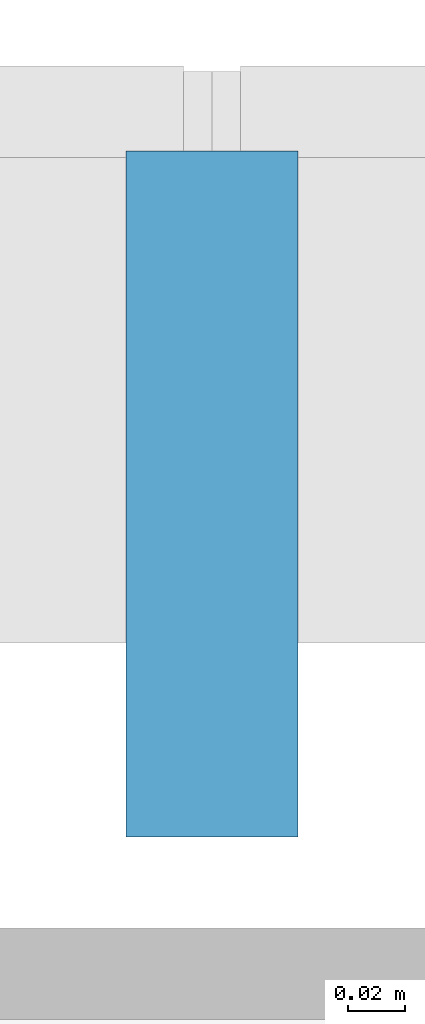
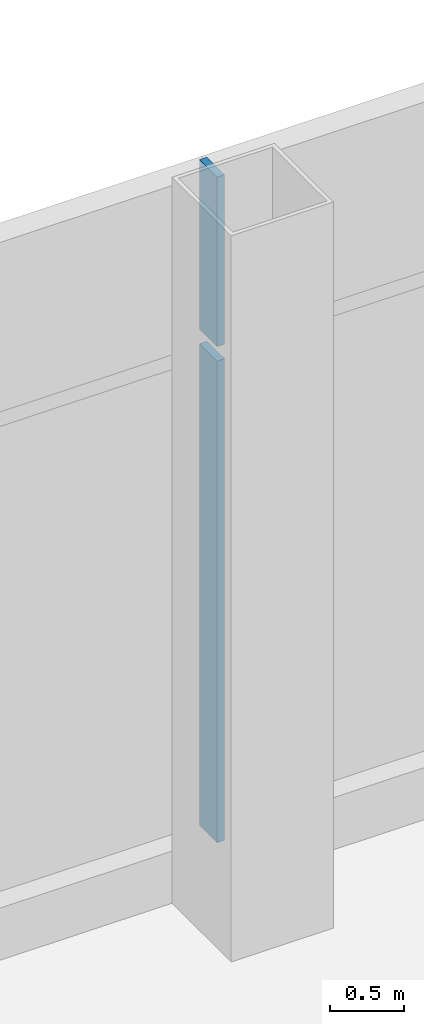
# One storey, part 6 of 44: 2 members, 1 element without a shape of its own.
"""IFC4 building model written with IfcOpenShell, lengths in metres."""

from ifc_helpers import new_model, si_unit, direction, frame, origin, origin_2d, place, context, subcontext, project, spatial, rectangle, extrude, material, layer, layer_set, material_profile, profile_set, type_object, element, aggregate, save


model = new_model("IFC4")

# Units and contexts
model_context = context("Model", 3, precision=1e-05, world=origin(), true_north=direction((0.0, 1.0)))
body_context = subcontext(model_context, "Body", "Model", "MODEL_VIEW")
ifc_project = project(units=[si_unit("LENGTHUNIT", "METRE"), si_unit("AREAUNIT", "SQUARE_METRE"), si_unit("VOLUMEUNIT", "CUBIC_METRE"), si_unit("PLANEANGLEUNIT", "RADIAN"), si_unit("MASSUNIT", "GRAM", prefix="KILO")], contexts=[model_context])

# Site, building, storey
site_placement = place(None, origin())
site = spatial("IfcSite", under=ifc_project, at=site_placement, CompositionType="ELEMENT")
building_placement = place(site_placement, origin())
building = spatial("IfcBuilding", under=site, at=building_placement, Name="Hakoniwa Tower and Hamabe Station Hall", CompositionType="ELEMENT")
storey_placement = place(building_placement, frame((0.0, 0.0, 69.0)))
storey = spatial("IfcBuildingStorey", under=building, at=storey_placement, Name="L19", CompositionType="ELEMENT", Elevation=69.0)

# Curtain wall, members
ifc_material_1 = material(Name="Dark low-e laminated glass", Category="glass")
ifc_layer = layer(ifc_material_1, 0.199951171875)
ifc_layer_set = layer_set([ifc_layer], Name="CW-2 SKY GARDEN")
curtain_wall_type = type_object("IfcCurtainWallType", Name="CW-2 SKY GARDEN", PredefinedType="NOTDEFINED", material=ifc_layer_set)
curtain_wall_placement = place(storey_placement, origin())
curtain_wall = element("IfcCurtainWall", 1, at=curtain_wall_placement, inside=storey, type_object=curtain_wall_type, Name="CW-2 curtain wall", PredefinedType="NOTDEFINED")
ifc_material_2 = material(Name="Aluminium 6063-T5 black anodised", Category="aluminium")
ifc_material_profile = material_profile(ifc_material_2, rectangle(XDim=0.06005859375, YDim=0.239990234375, at=origin_2d()), Name="CW-2 MULLION 60X240")
ifc_profile_set = profile_set([ifc_material_profile], Name="Aluminium 6063-T5 black anodised")
member_type = type_object("IfcMemberType", Name="CW-2 MULLION 60X240", PredefinedType="MULLION", material=ifc_profile_set)
member_1_placement = place(storey_placement, frame((0.0, 23.402099609375, 0.35009765625), z_axis=(0.0, 0.0, 1.0), x_axis=(-1.0, 0.0, 0.0)))
member_1 = element("IfcMember", 2, at=member_1_placement, type_object=member_type, Name="CW-2 mullion", PredefinedType="MULLION", context=body_context, shape_type="SweptSolid", body=[
    extrude(rectangle(XDim=0.06005859375, YDim=0.239990234375, at=origin_2d()), origin(), (0.0, 0.0, 1.0), 3.97998046875),
])
member_2_placement = place(storey_placement, frame((0.0, 23.402099609375, 4.449951171875), z_axis=(0.0, 0.0, 1.0), x_axis=(-1.0, 0.0, 0.0)))
member_2 = element("IfcMember", 3, at=member_2_placement, type_object=member_type, Name="CW-2 mullion", PredefinedType="MULLION", context=body_context, shape_type="SweptSolid", body=[
    extrude(rectangle(XDim=0.06005859375, YDim=0.239990234375, at=origin_2d()), origin(), (0.0, 0.0, 1.0), 1.400146484375),
])
aggregate(curtain_wall, [member_1, member_2])

save(model, "model.ifc")
